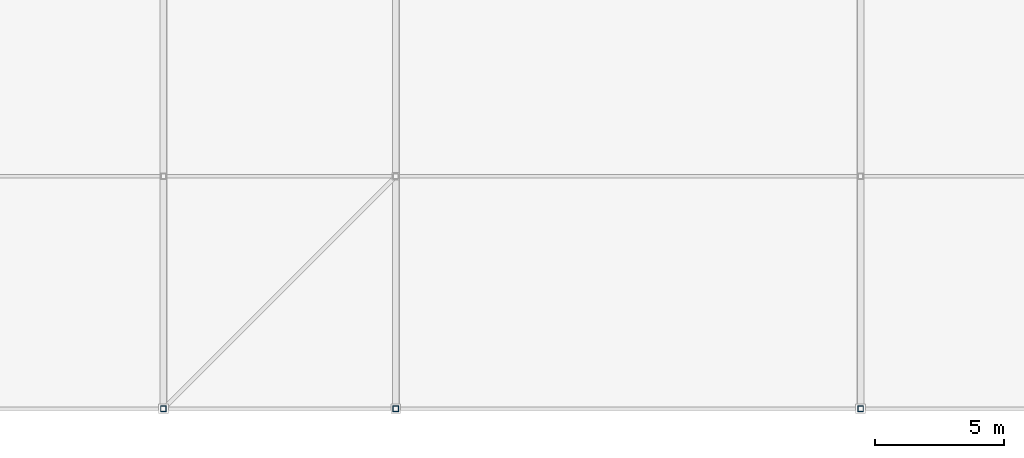
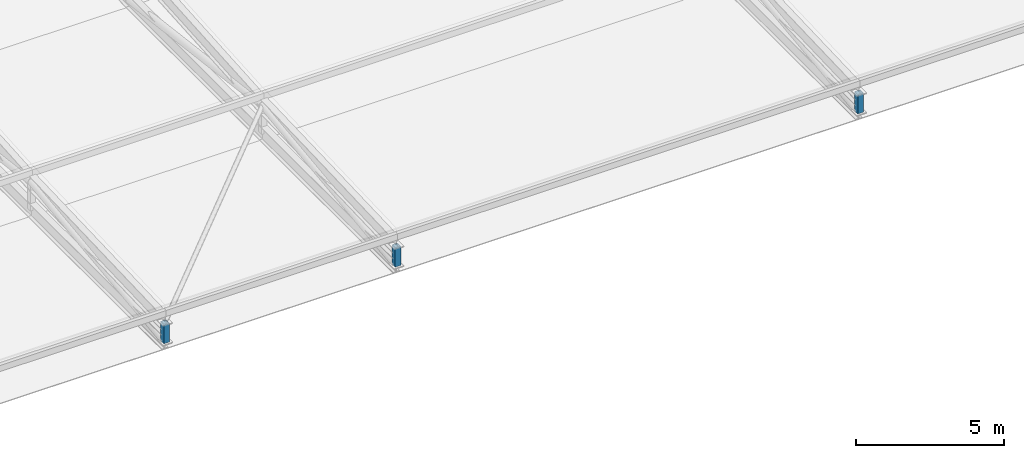
# One storey, part 78 of 114: 3 members.
"""IFC4 building model written with IfcOpenShell, lengths in metres."""

from ifc_helpers import new_model, si_unit, direction, frame, origin, origin_2d, place, context, subcontext, project, spatial, hollow_rectangle, extrude, material, material_profile, profile_set, type_object, element, save


model = new_model("IFC4")

# Units and contexts
model_context = context("Model", 3, precision=1e-05, world=origin(), true_north=direction((0.0, 1.0)))
body_context = subcontext(model_context, "Body", "Model", "MODEL_VIEW")
ifc_project = project(units=[si_unit("LENGTHUNIT", "METRE"), si_unit("AREAUNIT", "SQUARE_METRE"), si_unit("VOLUMEUNIT", "CUBIC_METRE"), si_unit("PLANEANGLEUNIT", "RADIAN"), si_unit("MASSUNIT", "GRAM", prefix="KILO"), si_unit("THERMODYNAMICTEMPERATUREUNIT", "KELVIN"), si_unit("POWERUNIT", "WATT")], contexts=[model_context])

# Site, building, storey
site_placement = place(None, origin())
site = spatial("IfcSite", under=ifc_project, at=site_placement, CompositionType="ELEMENT")
building_placement = place(site_placement, origin())
building = spatial("IfcBuilding", under=site, at=building_placement, Name="Sindhuravela Promenade Stadium", CompositionType="ELEMENT")
storey_placement = place(building_placement, frame((0.0, 0.0, 24.0)))
storey = spatial("IfcBuildingStorey", under=building, at=storey_placement, Name="L05", CompositionType="ELEMENT", Elevation=24.0)

# Members
ifc_material = material(Name="Steel E350 (IS 2062 E350BR)", Category="steel")
ifc_material_profile = material_profile(ifc_material, hollow_rectangle(XDim=0.219970703125, YDim=0.219970703125, WallThickness=0.011962890625, at=origin_2d()), Name="SHS 220x220x12")
ifc_profile_set = profile_set([ifc_material_profile], Name="Steel E350 (IS 2062 E350BR)")
member_type = type_object("IfcMemberType", Name="ST-MB-SHS220", PredefinedType="POST", material=ifc_profile_set)
for number, where, z_axis, x_axis, name in (
    (1, (99.0, 9.0, 0.0), (0.0, 0.0, 1.0), (1.0, 0.0, 0.0), "Roof truss RT-S04 vertical post 1"),
    (2, (108.0, 9.0, 0.0), (0.0, 0.0, 1.0), (1.0, 0.0, 0.0), "Roof truss RT-S05 vertical post 1"),
    (3, (126.0, 9.0, 0.0), (0.0, 0.0, 1.0), (1.0, 0.0, 0.0), "Roof truss RT-S06 vertical post 1"),
):
    element("IfcMember", number, at=place(storey_placement, frame(where, z_axis=z_axis, x_axis=x_axis)), inside=storey, type_object=member_type, Name=name, PredefinedType="POST", context=body_context, shape_type="SweptSolid", body=[
        extrude(hollow_rectangle(XDim=0.219970703125, YDim=0.219970703125, WallThickness=0.011962890625, at=origin_2d()), origin(), (0.0, 0.0, 1.0), 0.800048828125),
    ])

save(model, "model.ifc")
